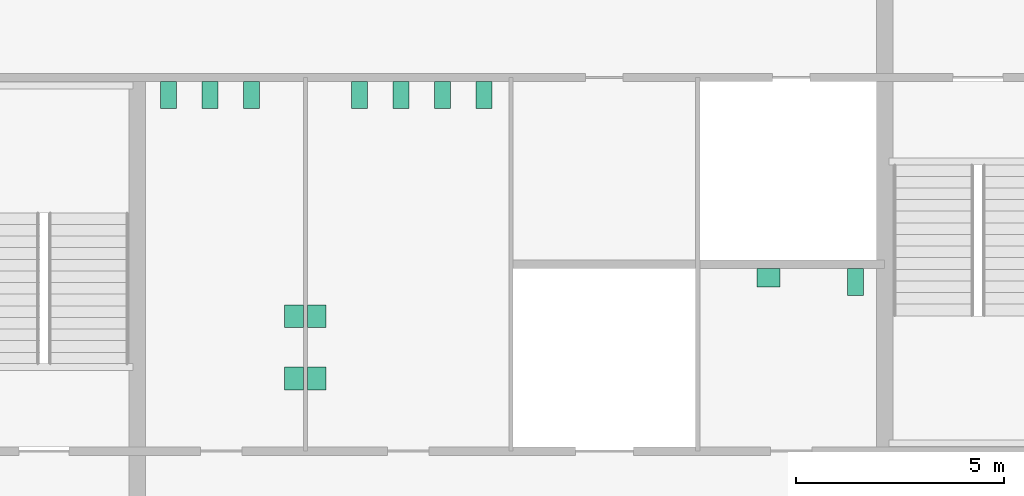
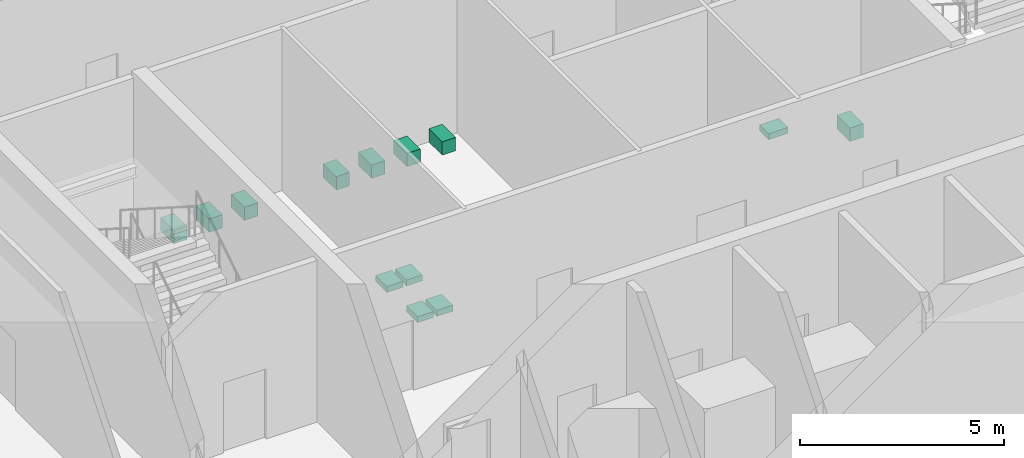
# One storey, part 11 of 12: 13 sanitary terminals.
"""IFC4 building model written with IfcOpenShell, lengths in metres."""

from ifc_helpers import new_model, si_unit, direction, frame, origin, origin_2d, place, context, subcontext, project, spatial, rectangle, extrude, material, type_object, element, save


model = new_model("IFC4")

# Units and contexts
model_context = context("Model", 3, precision=1e-05, world=origin(), true_north=direction((0.0, 1.0)))
body_context = subcontext(model_context, "Body", "Model", "MODEL_VIEW")
ifc_project = project(units=[si_unit("LENGTHUNIT", "METRE"), si_unit("AREAUNIT", "SQUARE_METRE"), si_unit("VOLUMEUNIT", "CUBIC_METRE"), si_unit("PLANEANGLEUNIT", "RADIAN"), si_unit("MASSUNIT", "GRAM", prefix="KILO")], contexts=[model_context])

# Site, building, storey
site_placement = place(None, origin())
site = spatial("IfcSite", under=ifc_project, at=site_placement, CompositionType="ELEMENT")
building_placement = place(site_placement, origin())
building = spatial("IfcBuilding", under=site, at=building_placement, Name="Corais Broadcast Tower", CompositionType="ELEMENT")
storey_placement = place(building_placement, frame((0.0, 0.0, 205.60009765625)))
storey = spatial("IfcBuildingStorey", under=building, at=storey_placement, Name="L47", CompositionType="ELEMENT", Elevation=205.60009765625)

# Sanitary terminals
ifc_material_1 = material(Name="Vitreous china", Category="ceramic")
sanitary_terminal_type_1 = type_object("IfcSanitaryTerminalType", Name="WC pan 380x650", PredefinedType="TOILETPAN", material=ifc_material_1)
for number, where, z_axis, x_axis, name in (
    (1, (18.75, 31.074951171875, 0.0), (0.0, 0.0, 1.0), (1.0, 0.0, 0.0), "SW1 WC pan, male toilets L47"),
    (2, (19.75, 31.074951171875, 0.0), (0.0, 0.0, 1.0), (1.0, 0.0, 0.0), "SW1 WC pan, male toilets L47"),
    (3, (20.75, 31.074951171875, 0.0), (0.0, 0.0, 1.0), (1.0, 0.0, 0.0), "SW1 WC pan, male toilets L47"),
    (4, (23.35009765625, 31.074951171875, 0.0), (0.0, 0.0, 1.0), (1.0, 0.0, 0.0), "SW1 WC pan, female toilets L47"),
    (5, (24.35009765625, 31.074951171875, 0.0), (0.0, 0.0, 1.0), (1.0, 0.0, 0.0), "SW1 WC pan, female toilets L47"),
    (6, (25.35009765625, 31.074951171875, 0.0), (0.0, 0.0, 1.0), (1.0, 0.0, 0.0), "SW1 WC pan, female toilets L47"),
    (7, (26.35009765625, 31.074951171875, 0.0), (0.0, 0.0, 1.0), (1.0, 0.0, 0.0), "SW1 WC pan, female toilets L47"),
    (8, (35.300048828125, 26.574951171875, 0.0), (0.0, 0.0, 1.0), (1.0, 0.0, 0.0), "SW1 WC pan, accessible WC L47"),
):
    element("IfcSanitaryTerminal", number, at=place(storey_placement, frame(where, z_axis=z_axis, x_axis=x_axis)), inside=storey, type_object=sanitary_terminal_type_1, Name=name, PredefinedType="TOILETPAN", context=body_context, shape_type="SweptSolid", body=[
        extrude(rectangle(XDim=0.3798828125, YDim=0.64990234375, at=origin_2d()), origin(), (0.0, 0.0, 1.0), 0.39990234375),
    ])
ifc_material_2 = material(Name="Vitreous china", Category="ceramic")
sanitary_terminal_type_2 = type_object("IfcSanitaryTerminalType", Name="Wash basin 550x450", PredefinedType="WASHHANDBASIN", material=ifc_material_2)
for number, where, z_axis, x_axis, name in (
    (9, (21.77490234375, 24.25, 0.69970703125), (0.0, 0.0, 1.0), (1.0, 0.0, 0.0), "WB1 wash basin, male toilets L47"),
    (10, (21.77490234375, 25.75, 0.69970703125), (0.0, 0.0, 1.0), (1.0, 0.0, 0.0), "WB1 wash basin, male toilets L47"),
    (11, (22.324951171875, 24.25, 0.69970703125), (0.0, 0.0, 1.0), (1.0, 0.0, 0.0), "WB1 wash basin, female toilets L47"),
    (12, (22.324951171875, 25.75, 0.69970703125), (0.0, 0.0, 1.0), (1.0, 0.0, 0.0), "WB1 wash basin, female toilets L47"),
):
    element("IfcSanitaryTerminal", number, at=place(storey_placement, frame(where, z_axis=z_axis, x_axis=x_axis)), inside=storey, type_object=sanitary_terminal_type_2, Name=name, PredefinedType="WASHHANDBASIN", context=body_context, shape_type="SweptSolid", body=[
        extrude(rectangle(XDim=0.449951171875, YDim=0.550048828125, at=origin_2d()), origin(), (0.0, 0.0, 1.0), 0.179931640625),
    ])
sanitary_terminal_placement = place(storey_placement, frame((33.199951171875, 26.675048828125, 0.69970703125), z_axis=(0.0, 0.0, 1.0), x_axis=(1.0, 0.0, 0.0)))
element("IfcSanitaryTerminal", 13, at=sanitary_terminal_placement, inside=storey, type_object=sanitary_terminal_type_2, Name="WB1 wash basin, accessible WC L47", PredefinedType="WASHHANDBASIN", context=body_context, shape_type="SweptSolid", body=[
    extrude(rectangle(XDim=0.550048828125, YDim=0.449951171875, at=origin_2d()), origin(), (0.0, 0.0, 1.0), 0.179931640625),
])

save(model, "model.ifc")
